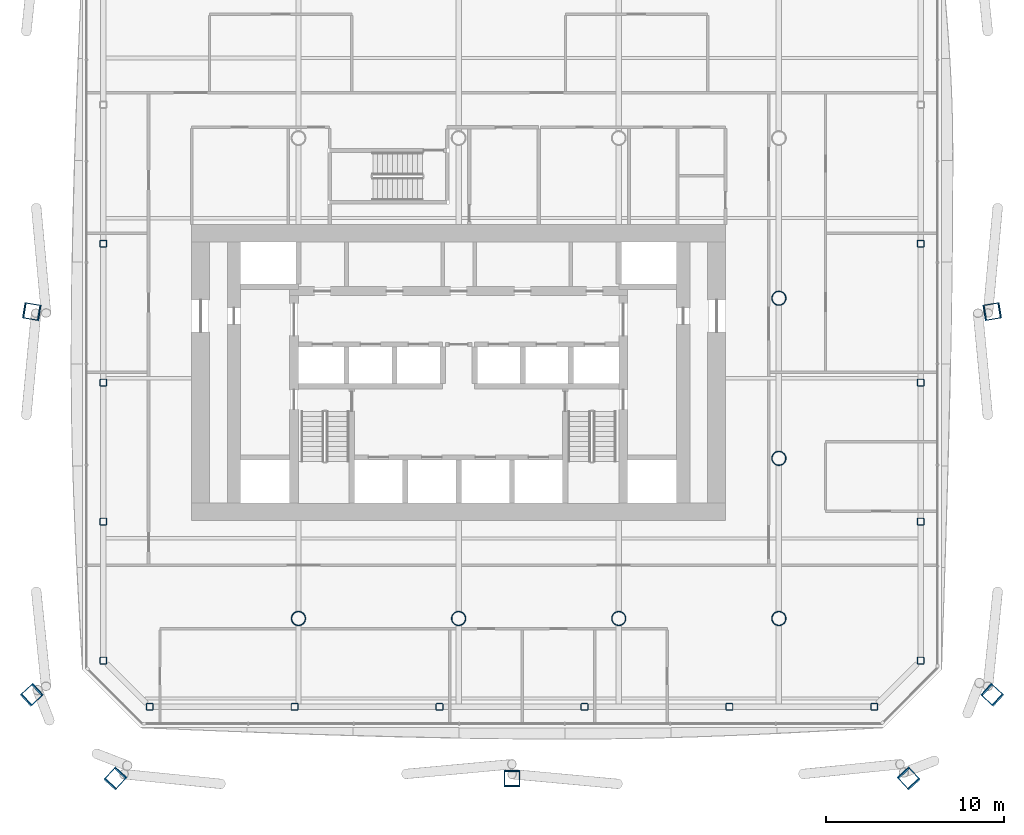
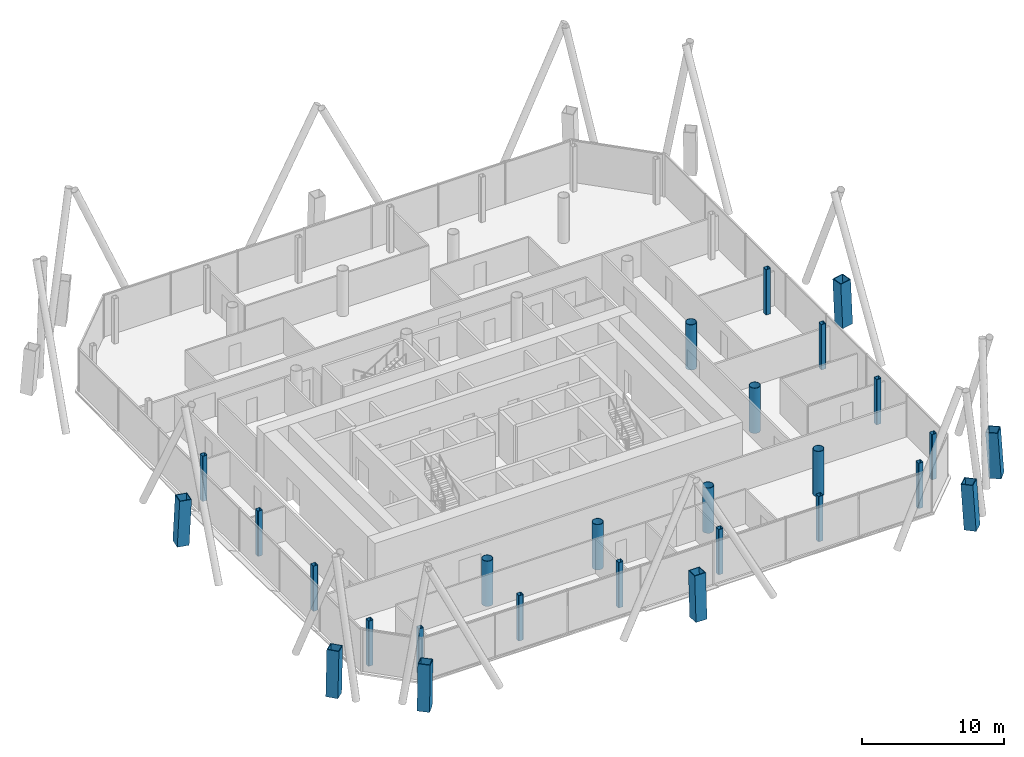
# One storey, part 1 of 22: 27 columns.
"""IFC4 building model written with IfcOpenShell, lengths in metres."""

from ifc_helpers import new_model, si_unit, direction, frame, origin, origin_2d, place, context, subcontext, project, spatial, hollow_rectangle, hollow_circle, extrude, material, material_profile, profile_set, type_object, element, save


model = new_model("IFC4")

# Units and contexts
model_context = context("Model", 3, precision=1e-05, world=origin(), true_north=direction((0.0, 1.0)))
body_context = subcontext(model_context, "Body", "Model", "MODEL_VIEW")
ifc_project = project(units=[si_unit("LENGTHUNIT", "METRE"), si_unit("AREAUNIT", "SQUARE_METRE"), si_unit("VOLUMEUNIT", "CUBIC_METRE"), si_unit("PLANEANGLEUNIT", "RADIAN"), si_unit("MASSUNIT", "GRAM", prefix="KILO")], contexts=[model_context])

# Site, building, storey
site_placement = place(None, origin())
site = spatial("IfcSite", under=ifc_project, at=site_placement, CompositionType="ELEMENT")
building_placement = place(site_placement, origin())
building = spatial("IfcBuilding", under=site, at=building_placement, Name="Tskaro Facet Tower", CompositionType="ELEMENT")
storey_placement = place(building_placement, frame((0.0, 0.0, 97.199951171875)))
storey = spatial("IfcBuildingStorey", under=building, at=storey_placement, Name="L23", CompositionType="ELEMENT", Elevation=97.199951171875)

# Columns
ifc_material_1 = material(Name="Steel S460M", Category="steel")
ifc_material_profile_1 = material_profile(ifc_material_1, hollow_rectangle(XDim=0.89990234375, YDim=0.89990234375, WallThickness=0.054931640625, at=origin_2d()), Name="BOX 900x900x55")
ifc_profile_set_1 = profile_set([ifc_material_profile_1], Name="Steel S460M")
column_type_1 = type_object("IfcColumnType", Name="BOX 900x900x55 mega column", PredefinedType="COLUMN", material=ifc_profile_set_1)
column_1_placement = place(storey_placement, frame((-19.31494140625, -27.014892578125, 0.0), z_axis=(0.042730852022, 0.046791532404, 0.997990293931), x_axis=(-0.738421459448, 0.674339490337, 0.0)))
element("IfcColumn", 1, at=column_1_placement, inside=storey, type_object=column_type_1, Name="BOX 900x900x55 MC01/2", PredefinedType="COLUMN", context=body_context, shape_type="SweptSolid", body=[
    extrude(hollow_rectangle(XDim=0.89990234375, YDim=0.89990234375, WallThickness=0.054931640625, at=origin_2d()), origin(), (0.0, 0.0, 1.0), 3.907958984375),
])
column_2_placement = place(storey_placement, frame((3.0, -27.014892578125, 0.0), z_axis=(0.0, 0.046834309926, 0.998902671642), x_axis=(-1.0, 0.0, 0.0)))
element("IfcColumn", 2, at=column_2_placement, inside=storey, type_object=column_type_1, Name="BOX 900x900x55 MC02/2", PredefinedType="COLUMN", context=body_context, shape_type="SweptSolid", body=[
    extrude(hollow_rectangle(XDim=0.89990234375, YDim=0.89990234375, WallThickness=0.054931640625, at=origin_2d()), origin(), (0.0, 0.0, 1.0), 3.904541015625),
])
for number, where, z_axis, x_axis, name in (
    (3, (25.31494140625, -27.014892578125, 0.0), (-0.042730852022, 0.046791532404, 0.997990293931), (-0.738421459448, -0.674339490337, 0.0), "BOX 900x900x55 MC03/2"),
    (4, (30.014892578125, -22.31494140625, 0.0), (-0.046791532404, 0.042730852022, 0.997990293931), (-0.674339490337, -0.738421459448, 0.0), "BOX 900x900x55 MC04/2"),
):
    element("IfcColumn", number, at=place(storey_placement, frame(where, z_axis=z_axis, x_axis=x_axis)), inside=storey, type_object=column_type_1, Name=name, PredefinedType="COLUMN", context=body_context, shape_type="SweptSolid", body=[
        extrude(hollow_rectangle(XDim=0.89990234375, YDim=0.89990234375, WallThickness=0.054931640625, at=origin_2d()), origin(), (0.0, 0.0, 1.0), 3.907958984375),
    ])
for number, where, z_axis, x_axis, name in (
    (5, (30.014892578125, -0.7470703125, 0.0), (-0.046832924798, -0.007690854139, 0.99887312904), (0.162048444398, -0.986782803695, 0.0), "BOX 900x900x55 MC05/2"),
    (6, (-24.014892578125, -0.7470703125, 0.0), (0.046832924798, -0.007690854139, 0.99887312904), (0.162048444398, 0.986782803695, 0.0), "BOX 900x900x55 MC11/2"),
):
    element("IfcColumn", number, at=place(storey_placement, frame(where, z_axis=z_axis, x_axis=x_axis)), inside=storey, type_object=column_type_1, Name=name, PredefinedType="COLUMN", context=body_context, shape_type="SweptSolid", body=[
        extrude(hollow_rectangle(XDim=0.89990234375, YDim=0.89990234375, WallThickness=0.054931640625, at=origin_2d()), origin(), (0.0, 0.0, 1.0), 3.904541015625),
    ])
column_3_placement = place(storey_placement, frame((-24.014892578125, -22.31494140625, 0.0), z_axis=(0.046791532404, 0.042730852022, 0.997990293931), x_axis=(-0.674339490337, 0.738421459448, 0.0)))
element("IfcColumn", 7, at=column_3_placement, inside=storey, type_object=column_type_1, Name="BOX 900x900x55 MC12/2", PredefinedType="COLUMN", context=body_context, shape_type="SweptSolid", body=[
    extrude(hollow_rectangle(XDim=0.89990234375, YDim=0.89990234375, WallThickness=0.054931640625, at=origin_2d()), origin(), (0.0, 0.0, 1.0), 3.907958984375),
])
ifc_material_2 = material(Name="Steel S355J2H", Category="steel")
ifc_material_profile_2 = material_profile(ifc_material_2, hollow_circle(Radius=0.406494140625, WallThickness=0.035888671875, at=origin_2d()), Name="CHS 812.8x36")
ifc_profile_set_2 = profile_set([ifc_material_profile_2], Name="Steel S355J2H")
column_type_2 = type_object("IfcColumnType", Name="CHS 812.8x36 interior column", PredefinedType="COLUMN", material=ifc_profile_set_2)
for number, where, z_axis, x_axis, name in (
    (8, (-9.0, -18.0, 0.0), (0.0, 0.0, 1.0), (1.0, 0.0, 0.0), "CHS 812.8x36 C3B/2"),
    (9, (0.0, -18.0, 0.0), (0.0, 0.0, 1.0), (1.0, 0.0, 0.0), "CHS 812.8x36 C4B/2"),
    (10, (9.0, -18.0, 0.0), (0.0, 0.0, 1.0), (1.0, 0.0, 0.0), "CHS 812.8x36 C5B/2"),
    (11, (18.0, -18.0, 0.0), (0.0, 0.0, 1.0), (1.0, 0.0, 0.0), "CHS 812.8x36 C6B/2"),
    (12, (18.0, -9.0, 0.0), (0.0, 0.0, 1.0), (1.0, 0.0, 0.0), "CHS 812.8x36 C6C/2"),
    (13, (18.0, 0.0, 0.0), (0.0, 0.0, 1.0), (1.0, 0.0, 0.0), "CHS 812.8x36 C6D/2"),
):
    element("IfcColumn", number, at=place(storey_placement, frame(where, z_axis=z_axis, x_axis=x_axis)), inside=storey, type_object=column_type_2, Name=name, PredefinedType="COLUMN", context=body_context, shape_type="SweptSolid", body=[
        extrude(hollow_circle(Radius=0.406494140625, WallThickness=0.035888671875, at=origin_2d()), origin(), (0.0, 0.0, 1.0), 3.900146484375),
    ])
ifc_material_profile_3 = material_profile(ifc_material_2, hollow_rectangle(XDim=0.39990234375, YDim=0.39990234375, WallThickness=0.02490234375, InnerFilletRadius=0.03759765625, OuterFilletRadius=0.0625, at=origin_2d()), Name="SHS 400x400x25")
ifc_profile_set_3 = profile_set([ifc_material_profile_3], Name="Steel S355J2H")
column_type_3 = type_object("IfcColumnType", Name="SHS 400x400x25 ring column", PredefinedType="COLUMN", material=ifc_profile_set_3)
for number, where, z_axis, x_axis, name in (
    (14, (-17.364013671875, -22.965087890625, 0.0), (0.0, 0.0, 1.0), (1.0, 0.0, 0.0), "SHS 400x400x25 RS-1/2"),
    (15, (-9.218017578125, -22.965087890625, 0.0), (0.0, 0.0, 1.0), (1.0, 0.0, 0.0), "SHS 400x400x25 RS-2/2"),
    (16, (-1.072998046875, -22.965087890625, 0.0), (0.0, 0.0, 1.0), (1.0, 0.0, 0.0), "SHS 400x400x25 RS-3/2"),
    (17, (7.072998046875, -22.965087890625, 0.0), (0.0, 0.0, 1.0), (1.0, 0.0, 0.0), "SHS 400x400x25 RS-4/2"),
    (18, (15.218017578125, -22.965087890625, 0.0), (0.0, 0.0, 1.0), (1.0, 0.0, 0.0), "SHS 400x400x25 RS-5/2"),
    (19, (23.364013671875, -22.965087890625, 0.0), (0.0, 0.0, 1.0), (1.0, 0.0, 0.0), "SHS 400x400x25 RSE-1/2"),
    (20, (25.965087890625, -20.364013671875, 0.0), (0.0, 0.0, 1.0), (1.0, 0.0, 0.0), "SHS 400x400x25 RE-1/2"),
    (21, (25.965087890625, -12.552978515625, 0.0), (0.0, 0.0, 1.0), (1.0, 0.0, 0.0), "SHS 400x400x25 RE-2/2"),
    (22, (25.965087890625, -4.741943359375, 0.0), (0.0, 0.0, 1.0), (1.0, 0.0, 0.0), "SHS 400x400x25 RE-3/2"),
    (23, (25.965087890625, 3.068115234375, 0.0), (0.0, 0.0, 1.0), (1.0, 0.0, 0.0), "SHS 400x400x25 RE-4/2"),
    (24, (-19.965087890625, 3.068115234375, 0.0), (0.0, 0.0, 1.0), (1.0, 0.0, 0.0), "SHS 400x400x25 RW-3/2"),
    (25, (-19.965087890625, -4.741943359375, 0.0), (0.0, 0.0, 1.0), (1.0, 0.0, 0.0), "SHS 400x400x25 RW-4/2"),
    (26, (-19.965087890625, -12.552978515625, 0.0), (0.0, 0.0, 1.0), (1.0, 0.0, 0.0), "SHS 400x400x25 RW-5/2"),
    (27, (-19.965087890625, -20.364013671875, 0.0), (0.0, 0.0, 1.0), (1.0, 0.0, 0.0), "SHS 400x400x25 RSW-1/2"),
):
    element("IfcColumn", number, at=place(storey_placement, frame(where, z_axis=z_axis, x_axis=x_axis)), inside=storey, type_object=column_type_3, Name=name, PredefinedType="COLUMN", context=body_context, shape_type="SweptSolid", body=[
        extrude(hollow_rectangle(XDim=0.39990234375, YDim=0.39990234375, WallThickness=0.02490234375, InnerFilletRadius=0.03759765625, OuterFilletRadius=0.0625, at=origin_2d()), origin(), (0.0, 0.0, 1.0), 3.900146484375),
    ])

save(model, "model.ifc")
